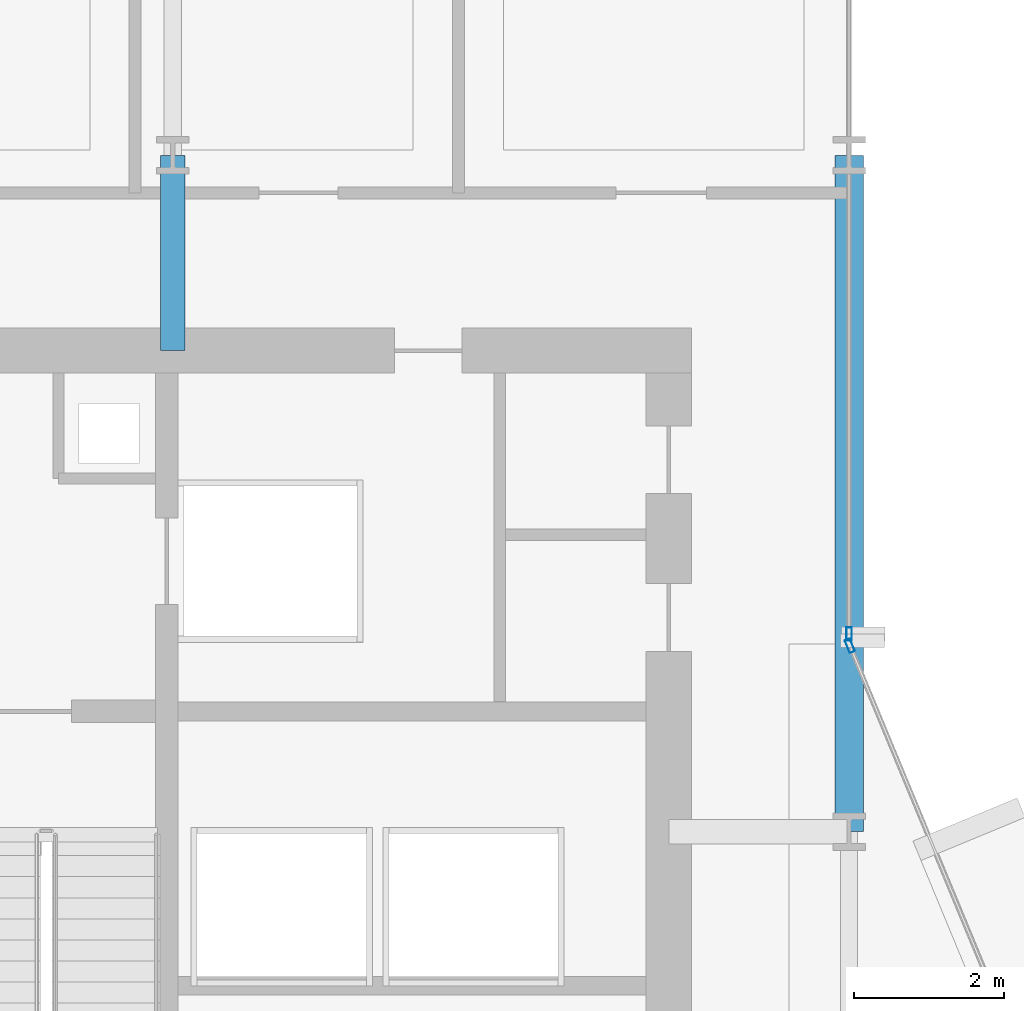
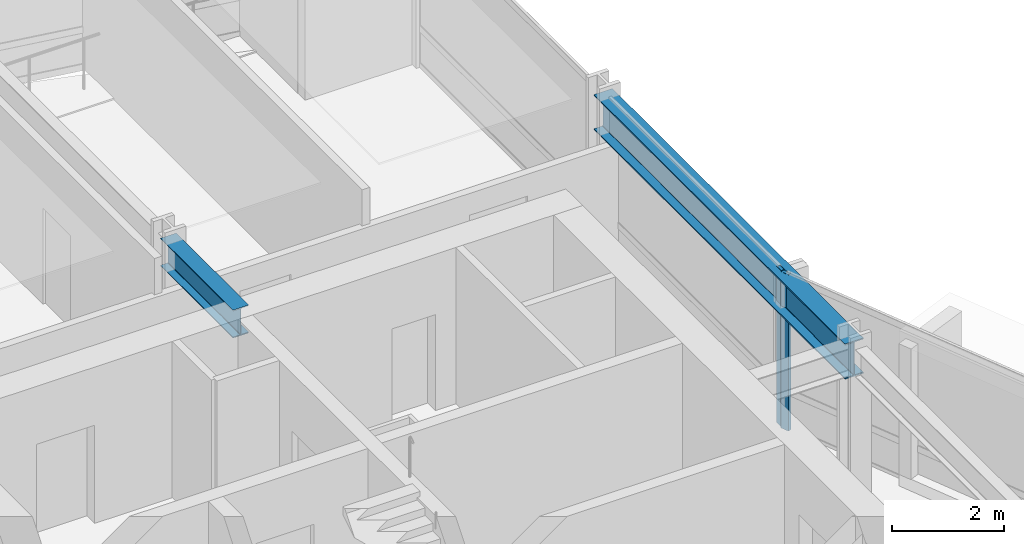
# One storey, part 21 of 34: 2 beams, 2 members, 2 elements without a shape of their own.
"""IFC4 building model written with IfcOpenShell, lengths in metres."""

from ifc_helpers import new_model, si_unit, direction, frame, origin, origin_2d, place, context, subcontext, project, spatial, hollow_rectangle, i_section, extrude, material, layer, layer_set, material_profile, profile_set, type_object, element, aggregate, save


model = new_model("IFC4")

# Units and contexts
model_context = context("Model", 3, precision=1e-05, world=origin(), true_north=direction((0.0, 1.0)))
body_context = subcontext(model_context, "Body", "Model", "MODEL_VIEW")
ifc_project = project(units=[si_unit("LENGTHUNIT", "METRE"), si_unit("AREAUNIT", "SQUARE_METRE"), si_unit("VOLUMEUNIT", "CUBIC_METRE"), si_unit("PLANEANGLEUNIT", "RADIAN"), si_unit("MASSUNIT", "GRAM", prefix="KILO")], contexts=[model_context])

# Site, building, storey
site_placement = place(None, origin())
site = spatial("IfcSite", under=ifc_project, at=site_placement, CompositionType="ELEMENT")
building_placement = place(site_placement, origin())
building = spatial("IfcBuilding", under=site, at=building_placement, Name="Solvaryn Broadcast Tower", CompositionType="ELEMENT")
storey_placement = place(building_placement, frame((0.0, 0.0, 61.89990234375)))
storey = spatial("IfcBuildingStorey", under=building, at=storey_placement, Name="L14", CompositionType="ELEMENT", Elevation=61.89990234375)

# Beams
ifc_material_1 = material(Name="Steel ASTM A992 Grade 50", Category="steel")
ifc_material_profile_1 = material_profile(ifc_material_1, i_section(OverallWidth=0.323974609375, OverallDepth=0.611083984375, WebThickness=0.0126953125, FlangeThickness=0.01904296875, FilletRadius=0.014892578125, at=origin_2d()))
ifc_profile_set_1 = profile_set([ifc_material_profile_1], Name="Steel ASTM A992 Grade 50")
beam_type_1 = type_object("IfcBeamType", Name="BM-B1-W24X104", PredefinedType="BEAM", material=ifc_profile_set_1)
beam_1_placement = place(storey_placement, frame((18.0, 42.39990234375, 3.114501953125), z_axis=(0.0, 1.0, 0.0), x_axis=(-1.0, 0.0, 0.0)))
element("IfcBeam", 1, at=beam_1_placement, inside=storey, type_object=beam_type_1, Name="L14 Core Tie Beam CTW3", PredefinedType="BEAM", context=body_context, shape_type="SweptSolid", body=[
    extrude(i_section(OverallWidth=0.323974609375, OverallDepth=0.611083984375, WebThickness=0.0126953125, FlangeThickness=0.01904296875, FilletRadius=0.014892578125, at=origin_2d()), origin(), (0.0, 0.0, 1.0), 2.60009765625),
])
ifc_material_2 = material(Name="Steel ASTM A992 Grade 50", Category="steel")
ifc_material_profile_2 = material_profile(ifc_material_2, i_section(OverallWidth=0.381103515625, OverallDepth=0.77294921875, WebThickness=0.0166015625, FlangeThickness=0.027099609375, FilletRadius=0.01806640625, at=origin_2d()))
ifc_profile_set_2 = profile_set([ifc_material_profile_2], Name="Steel ASTM A992 Grade 50")
beam_type_2 = type_object("IfcBeamType", Name="BM-SP1-W30X173", PredefinedType="USERDEFINED", material=ifc_profile_set_2)
beam_2_placement = place(storey_placement, frame((27.0, 36.0, 3.03369140625), z_axis=(0.0, 1.0, 0.0), x_axis=(-1.0, 0.0, 0.0)))
element("IfcBeam", 2, at=beam_2_placement, inside=storey, type_object=beam_type_2, Name="L14 Spandrel Beam Y (36-45 @ X=27)", ObjectType="SPANDREL", PredefinedType="USERDEFINED", context=body_context, shape_type="SweptSolid", body=[
    extrude(i_section(OverallWidth=0.381103515625, OverallDepth=0.77294921875, WebThickness=0.0166015625, FlangeThickness=0.027099609375, FilletRadius=0.01806640625, at=origin_2d()), origin(), (0.0, 0.0, 1.0), 9.0),
])

# Curtain wall, member
ifc_material_3 = material(Name="Aluminium and Terracotta Unitised Curtain Wall", Category="masonry")
ifc_layer = layer(ifc_material_3, 0.199951171875)
ifc_layer_set = layer_set([ifc_layer], Name="CW-SYS2-LOWMID")
curtain_wall_type = type_object("IfcCurtainWallType", Name="CW-SYS2-LOWMID", PredefinedType="NOTDEFINED", material=ifc_layer_set)
curtain_wall_1_placement = place(storey_placement, origin())
curtain_wall_1 = element("IfcCurtainWall", 3, at=curtain_wall_1_placement, inside=storey, type_object=curtain_wall_type, Name="L14 Curtain Wall IV", PredefinedType="NOTDEFINED")
ifc_material_4 = material(Name="Anodised Aluminium 6063-T6", Category="aluminium")
ifc_material_profile_3 = material_profile(ifc_material_4, hollow_rectangle(XDim=0.074951171875, YDim=0.179931640625, WallThickness=0.00390625, InnerFilletRadius=0.00390625, OuterFilletRadius=0.008056640625, at=origin_2d()))
ifc_profile_set_3 = profile_set([ifc_material_profile_3], Name="Anodised Aluminium 6063-T6")
member_type = type_object("IfcMemberType", Name="CW-MUL-180", PredefinedType="MULLION", material=ifc_profile_set_3)
member_1_placement = place(storey_placement, frame((27.0, 38.6298828125, 0.0), z_axis=(0.0, 0.0, 1.0), x_axis=(1.0, 0.0, 0.0)))
member_1 = element("IfcMember", 4, at=member_1_placement, type_object=member_type, Name="CWS2 mullion 2", PredefinedType="MULLION", context=body_context, shape_type="SweptSolid", body=[
    extrude(hollow_rectangle(XDim=0.074951171875, YDim=0.179931640625, WallThickness=0.00390625, InnerFilletRadius=0.00390625, OuterFilletRadius=0.008056640625, at=origin_2d()), origin(), (0.0, 0.0, 1.0), 3.420166015625),
])
aggregate(curtain_wall_1, [member_1])

curtain_wall_2_placement = place(storey_placement, origin())
curtain_wall_2 = element("IfcCurtainWall", 5, at=curtain_wall_2_placement, inside=storey, type_object=curtain_wall_type, Name="L14 Curtain Wall CN2", PredefinedType="NOTDEFINED")
member_2_placement = place(storey_placement, frame((27.011474609375, 38.47216796875, 0.0), z_axis=(0.0, 0.0, 1.0), x_axis=(-0.923894983957, -0.382646127145, 0.0)))
member_2 = element("IfcMember", 6, at=member_2_placement, type_object=member_type, Name="CWS2 mullion 2", PredefinedType="MULLION", context=body_context, shape_type="SweptSolid", body=[
    extrude(hollow_rectangle(XDim=0.074951171875, YDim=0.179931640625, WallThickness=0.00390625, InnerFilletRadius=0.00390625, OuterFilletRadius=0.008056640625, at=origin_2d()), origin(), (0.0, 0.0, 1.0), 3.420166015625),
])
aggregate(curtain_wall_2, [member_2])

save(model, "model.ifc")
